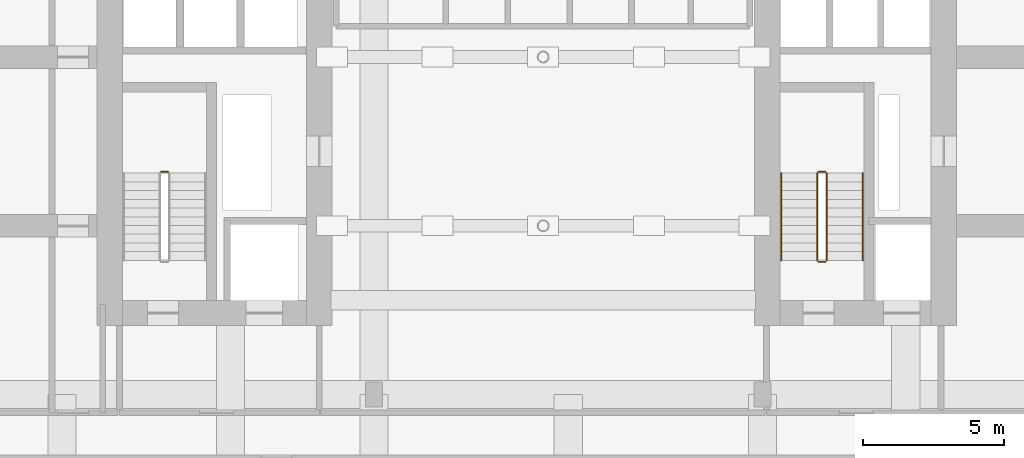
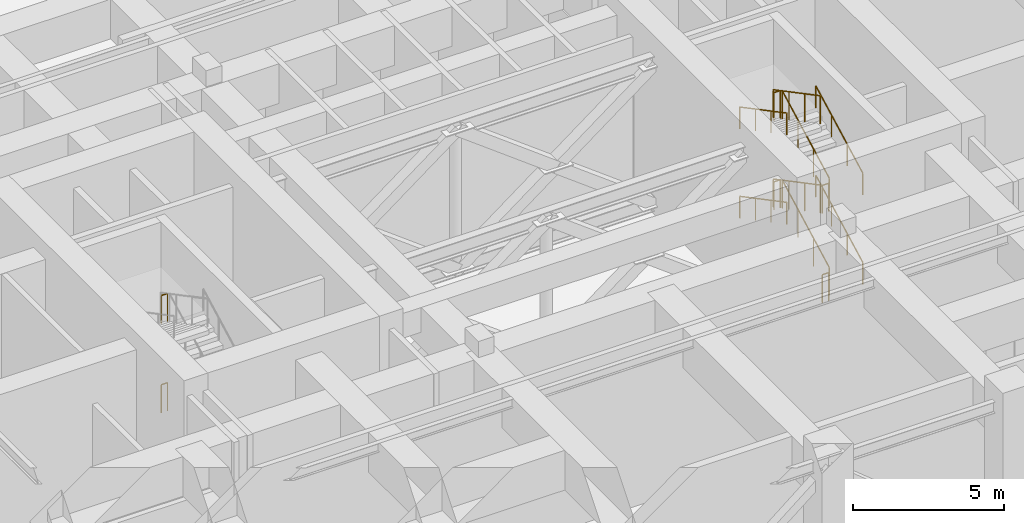
# One storey, part 9 of 10: 14 railings.
"""IFC4 building model written with IfcOpenShell, lengths in metres."""

from ifc_helpers import new_model, si_unit, direction, frame, origin, origin_2d, place, context, subcontext, project, spatial, circle, extrude, material, type_object, element, save


model = new_model("IFC4")

# Units and contexts
model_context = context("Model", 3, precision=1e-05, world=origin(), true_north=direction((0.0, 1.0)))
body_context = subcontext(model_context, "Body", "Model", "MODEL_VIEW")
ifc_project = project(units=[si_unit("LENGTHUNIT", "METRE"), si_unit("AREAUNIT", "SQUARE_METRE"), si_unit("VOLUMEUNIT", "CUBIC_METRE"), si_unit("PLANEANGLEUNIT", "RADIAN"), si_unit("MASSUNIT", "GRAM", prefix="KILO")], contexts=[model_context])

# Site, building, storey
site_placement = place(None, origin())
site = spatial("IfcSite", under=ifc_project, at=site_placement, CompositionType="ELEMENT")
building_placement = place(site_placement, origin())
building = spatial("IfcBuilding", under=site, at=building_placement, Name="Khoralis Quay Care Tower", CompositionType="ELEMENT")
storey_placement = place(building_placement, frame((0.0, 0.0, 76.5)))
storey = spatial("IfcBuildingStorey", under=building, at=storey_placement, Name="L20", CompositionType="ELEMENT", Elevation=76.5)

# Railings
ifc_material = material(Name="Brushed stainless steel", Category="steel")
railing_type_1 = type_object("IfcRailingType", Name="RL-GUARD-1150", PredefinedType="GUARDRAIL", material=ifc_material)
for number, where, name in (
    (1, (9.77001953125, 19.919921875, 1.800048828125), "L20 ST-T1 stair guard 2"),
    (2, (9.77001953125, 19.919921875, 5.39990234375), "L20 ST-T1 stair guard 6"),
):
    element("IfcRailing", number, at=place(storey_placement, frame(where)), inside=storey, type_object=railing_type_1, Name=name, PredefinedType="GUARDRAIL", context=body_context, shape_type="SweptSolid", body=[
        extrude(circle(Radius=0.02392578125, at=origin_2d()), frame((0.0, 0.0, 1.1259765625), z_axis=(-1.0, 0.0, 0.0), x_axis=(0.0, -1.0, 0.0)), (0.0, 0.0, 1.0), 0.239990234375),
        extrude(circle(Radius=0.02099609375, at=origin_2d()), origin(), (0.0, 0.0, 1.0), 1.101806640625),
        extrude(circle(Radius=0.02099609375, at=origin_2d()), frame((-0.239990234375, 0.0, 0.0)), (0.0, 0.0, 1.0), 1.101806640625),
    ])
railing_1_placement = place(storey_placement, frame((33.18994140625, 16.77001953125, 0.16357421875)))
element("IfcRailing", 3, at=railing_1_placement, inside=storey, type_object=railing_type_1, Name="L20 ST-T2 stair guard 1", PredefinedType="GUARDRAIL", context=body_context, shape_type="SweptSolid", body=[
    extrude(circle(Radius=0.02392578125, at=origin_2d()), frame((0.0, 0.0, 1.1259765625), z_axis=(0.0, 0.884348015382, 0.466828220752), x_axis=(-1.0, 0.0, 0.0)), (0.0, 0.0, 1.0), 3.505615234375),
    extrude(circle(Radius=0.02099609375, at=origin_2d()), origin(), (0.0, 0.0, 1.0), 1.101806640625),
    extrude(circle(Radius=0.02099609375, at=origin_2d()), frame((0.0, 1.033447265625, 0.54541015625)), (0.0, 0.0, 1.0), 1.101806640625),
    extrude(circle(Radius=0.02099609375, at=origin_2d()), frame((0.0, 2.066650390625, 1.091064453125)), (0.0, 0.0, 1.0), 1.101806640625),
    extrude(circle(Radius=0.02099609375, at=origin_2d()), frame((0.0, 3.10009765625, 1.636474609375)), (0.0, 0.0, 1.0), 1.101806640625),
])
railing_2_placement = place(storey_placement, frame((33.139892578125, 19.919921875, 1.800048828125)))
element("IfcRailing", 4, at=railing_2_placement, inside=storey, type_object=railing_type_1, Name="L20 ST-T2 stair guard 2", PredefinedType="GUARDRAIL", context=body_context, shape_type="SweptSolid", body=[
    extrude(circle(Radius=0.02392578125, at=origin_2d()), frame((0.0, 0.0, 1.1259765625), z_axis=(-1.0, 0.0, 0.0), x_axis=(0.0, -1.0, 0.0)), (0.0, 0.0, 1.0), 0.239990234375),
    extrude(circle(Radius=0.02099609375, at=origin_2d()), origin(), (0.0, 0.0, 1.0), 1.101806640625),
    extrude(circle(Radius=0.02099609375, at=origin_2d()), frame((-0.239990234375, 0.0, 0.0)), (0.0, 0.0, 1.0), 1.101806640625),
])
railing_3_placement = place(storey_placement, frame((32.85009765625, 19.8701171875, 1.963623046875)))
element("IfcRailing", 5, at=railing_3_placement, inside=storey, type_object=railing_type_1, Name="L20 ST-T2 stair guard 3", PredefinedType="GUARDRAIL", context=body_context, shape_type="SweptSolid", body=[
    extrude(circle(Radius=0.02392578125, at=origin_2d()), frame((0.0, 0.0, 1.1259765625), z_axis=(0.0, -0.884348015382, 0.466828220752), x_axis=(1.0, 0.0, 0.0)), (0.0, 0.0, 1.0), 3.505615234375),
    extrude(circle(Radius=0.02099609375, at=origin_2d()), origin(), (0.0, 0.0, 1.0), 1.101806640625),
    extrude(circle(Radius=0.02099609375, at=origin_2d()), frame((0.0, -1.033447265625, 0.54541015625)), (0.0, 0.0, 1.0), 1.101806640625),
    extrude(circle(Radius=0.02099609375, at=origin_2d()), frame((0.0, -2.066650390625, 1.091064453125)), (0.0, 0.0, 1.0), 1.101806640625),
    extrude(circle(Radius=0.02099609375, at=origin_2d()), frame((0.0, -3.10009765625, 1.636474609375)), (0.0, 0.0, 1.0), 1.101806640625),
])
railing_4_placement = place(storey_placement, frame((33.139892578125, 16.719970703125, 3.60009765625)))
element("IfcRailing", 6, at=railing_4_placement, inside=storey, type_object=railing_type_1, Name="L20 ST-T2 stair guard 4", PredefinedType="GUARDRAIL", context=body_context, shape_type="SweptSolid", body=[
    extrude(circle(Radius=0.02392578125, at=origin_2d()), frame((0.0, 0.0, 1.1259765625), z_axis=(-1.0, 0.0, 0.0), x_axis=(0.0, -1.0, 0.0)), (0.0, 0.0, 1.0), 0.239990234375),
    extrude(circle(Radius=0.02099609375, at=origin_2d()), origin(), (0.0, 0.0, 1.0), 1.101806640625),
    extrude(circle(Radius=0.02099609375, at=origin_2d()), frame((-0.239990234375, 0.0, 0.0)), (0.0, 0.0, 1.0), 1.101806640625),
])
railing_5_placement = place(storey_placement, frame((33.18994140625, 16.77001953125, 3.763671875)))
element("IfcRailing", 7, at=railing_5_placement, inside=storey, type_object=railing_type_1, Name="L20 ST-T2 stair guard 5", PredefinedType="GUARDRAIL", context=body_context, shape_type="SweptSolid", body=[
    extrude(circle(Radius=0.02392578125, at=origin_2d()), frame((0.0, 0.0, 1.1259765625), z_axis=(0.0, 0.884376766648, 0.46677375099), x_axis=(-1.0, 0.0, 0.0)), (0.0, 0.0, 1.0), 3.50537109375),
    extrude(circle(Radius=0.02099609375, at=origin_2d()), origin(), (0.0, 0.0, 1.0), 1.101806640625),
    extrude(circle(Radius=0.02099609375, at=origin_2d()), frame((0.0, 1.033447265625, 0.54541015625)), (0.0, 0.0, 1.0), 1.101806640625),
    extrude(circle(Radius=0.02099609375, at=origin_2d()), frame((0.0, 2.066650390625, 1.0908203125)), (0.0, 0.0, 1.0), 1.101806640625),
    extrude(circle(Radius=0.02099609375, at=origin_2d()), frame((0.0, 3.10009765625, 1.63623046875)), (0.0, 0.0, 1.0), 1.101806640625),
])
railing_6_placement = place(storey_placement, frame((33.139892578125, 19.919921875, 5.39990234375)))
element("IfcRailing", 8, at=railing_6_placement, inside=storey, type_object=railing_type_1, Name="L20 ST-T2 stair guard 6", PredefinedType="GUARDRAIL", context=body_context, shape_type="SweptSolid", body=[
    extrude(circle(Radius=0.02392578125, at=origin_2d()), frame((0.0, 0.0, 1.1259765625), z_axis=(-1.0, 0.0, 0.0), x_axis=(0.0, -1.0, 0.0)), (0.0, 0.0, 1.0), 0.239990234375),
    extrude(circle(Radius=0.02099609375, at=origin_2d()), origin(), (0.0, 0.0, 1.0), 1.101806640625),
    extrude(circle(Radius=0.02099609375, at=origin_2d()), frame((-0.239990234375, 0.0, 0.0)), (0.0, 0.0, 1.0), 1.101806640625),
])
railing_7_placement = place(storey_placement, frame((32.85009765625, 19.8701171875, 5.563720703125)))
element("IfcRailing", 9, at=railing_7_placement, inside=storey, type_object=railing_type_1, Name="L20 ST-T2 stair guard 7", PredefinedType="GUARDRAIL", context=body_context, shape_type="SweptSolid", body=[
    extrude(circle(Radius=0.02392578125, at=origin_2d()), frame((0.0, 0.0, 1.1259765625), z_axis=(0.0, -0.884376766648, 0.46677375099), x_axis=(1.0, 0.0, 0.0)), (0.0, 0.0, 1.0), 3.50537109375),
    extrude(circle(Radius=0.02099609375, at=origin_2d()), origin(), (0.0, 0.0, 1.0), 1.101806640625),
    extrude(circle(Radius=0.02099609375, at=origin_2d()), frame((0.0, -1.033447265625, 0.54541015625)), (0.0, 0.0, 1.0), 1.101806640625),
    extrude(circle(Radius=0.02099609375, at=origin_2d()), frame((0.0, -2.066650390625, 1.0908203125)), (0.0, 0.0, 1.0), 1.101806640625),
    extrude(circle(Radius=0.02099609375, at=origin_2d()), frame((0.0, -3.10009765625, 1.63623046875)), (0.0, 0.0, 1.0), 1.101806640625),
])
railing_8_placement = place(storey_placement, frame((33.139892578125, 16.719970703125, 0.0)))
element("IfcRailing", 10, at=railing_8_placement, inside=storey, type_object=railing_type_1, Name="L20 ST-T2 stair guard 8", PredefinedType="GUARDRAIL", context=body_context, shape_type="SweptSolid", body=[
    extrude(circle(Radius=0.02392578125, at=origin_2d()), frame((0.0, 0.0, 1.1259765625), z_axis=(-1.0, 0.0, 0.0), x_axis=(0.0, -1.0, 0.0)), (0.0, 0.0, 1.0), 0.239990234375),
    extrude(circle(Radius=0.02099609375, at=origin_2d()), origin(), (0.0, 0.0, 1.0), 1.101806640625),
    extrude(circle(Radius=0.02099609375, at=origin_2d()), frame((-0.239990234375, 0.0, 0.0)), (0.0, 0.0, 1.0), 1.101806640625),
])
railing_type_2 = type_object("IfcRailingType", Name="RL-HAND-900", PredefinedType="HANDRAIL", material=ifc_material)
railing_9_placement = place(storey_placement, frame((34.469970703125, 16.77001953125, 0.16357421875)))
element("IfcRailing", 11, at=railing_9_placement, inside=storey, type_object=railing_type_2, Name="L20 ST-T2 stair handrail 1", PredefinedType="HANDRAIL", context=body_context, shape_type="SweptSolid", body=[
    extrude(circle(Radius=0.02392578125, at=origin_2d()), frame((0.0, 0.0, 0.8759765625), z_axis=(0.0, 0.884348015382, 0.466828220752), x_axis=(-1.0, 0.0, 0.0)), (0.0, 0.0, 1.0), 3.505615234375),
    extrude(circle(Radius=0.02099609375, at=origin_2d()), origin(), (0.0, 0.0, 1.0), 0.851806640625),
    extrude(circle(Radius=0.02099609375, at=origin_2d()), frame((0.0, 1.033447265625, 0.54541015625)), (0.0, 0.0, 1.0), 0.851806640625),
    extrude(circle(Radius=0.02099609375, at=origin_2d()), frame((0.0, 2.066650390625, 1.091064453125)), (0.0, 0.0, 1.0), 0.851806640625),
    extrude(circle(Radius=0.02099609375, at=origin_2d()), frame((0.0, 3.10009765625, 1.636474609375)), (0.0, 0.0, 1.0), 0.851806640625),
])
railing_10_placement = place(storey_placement, frame((31.570068359375, 19.8701171875, 1.963623046875)))
element("IfcRailing", 12, at=railing_10_placement, inside=storey, type_object=railing_type_2, Name="L20 ST-T2 stair handrail 2", PredefinedType="HANDRAIL", context=body_context, shape_type="SweptSolid", body=[
    extrude(circle(Radius=0.02392578125, at=origin_2d()), frame((0.0, 0.0, 0.8759765625), z_axis=(0.0, -0.884348015382, 0.466828220752), x_axis=(1.0, 0.0, 0.0)), (0.0, 0.0, 1.0), 3.505615234375),
    extrude(circle(Radius=0.02099609375, at=origin_2d()), origin(), (0.0, 0.0, 1.0), 0.851806640625),
    extrude(circle(Radius=0.02099609375, at=origin_2d()), frame((0.0, -1.033447265625, 0.54541015625)), (0.0, 0.0, 1.0), 0.851806640625),
    extrude(circle(Radius=0.02099609375, at=origin_2d()), frame((0.0, -2.066650390625, 1.091064453125)), (0.0, 0.0, 1.0), 0.851806640625),
    extrude(circle(Radius=0.02099609375, at=origin_2d()), frame((0.0, -3.10009765625, 1.636474609375)), (0.0, 0.0, 1.0), 0.851806640625),
])
railing_11_placement = place(storey_placement, frame((34.469970703125, 16.77001953125, 3.763671875)))
element("IfcRailing", 13, at=railing_11_placement, inside=storey, type_object=railing_type_2, Name="L20 ST-T2 stair handrail 3", PredefinedType="HANDRAIL", context=body_context, shape_type="SweptSolid", body=[
    extrude(circle(Radius=0.02392578125, at=origin_2d()), frame((0.0, 0.0, 0.8759765625), z_axis=(0.0, 0.884376766648, 0.46677375099), x_axis=(-1.0, 0.0, 0.0)), (0.0, 0.0, 1.0), 3.50537109375),
    extrude(circle(Radius=0.02099609375, at=origin_2d()), origin(), (0.0, 0.0, 1.0), 0.851806640625),
    extrude(circle(Radius=0.02099609375, at=origin_2d()), frame((0.0, 1.033447265625, 0.54541015625)), (0.0, 0.0, 1.0), 0.851806640625),
    extrude(circle(Radius=0.02099609375, at=origin_2d()), frame((0.0, 2.066650390625, 1.0908203125)), (0.0, 0.0, 1.0), 0.851806640625),
    extrude(circle(Radius=0.02099609375, at=origin_2d()), frame((0.0, 3.10009765625, 1.63623046875)), (0.0, 0.0, 1.0), 0.851806640625),
])
railing_12_placement = place(storey_placement, frame((31.570068359375, 19.8701171875, 5.563720703125)))
element("IfcRailing", 14, at=railing_12_placement, inside=storey, type_object=railing_type_2, Name="L20 ST-T2 stair handrail 4", PredefinedType="HANDRAIL", context=body_context, shape_type="SweptSolid", body=[
    extrude(circle(Radius=0.02392578125, at=origin_2d()), frame((0.0, 0.0, 0.8759765625), z_axis=(0.0, -0.884376766648, 0.46677375099), x_axis=(1.0, 0.0, 0.0)), (0.0, 0.0, 1.0), 3.50537109375),
    extrude(circle(Radius=0.02099609375, at=origin_2d()), origin(), (0.0, 0.0, 1.0), 0.851806640625),
    extrude(circle(Radius=0.02099609375, at=origin_2d()), frame((0.0, -1.033447265625, 0.54541015625)), (0.0, 0.0, 1.0), 0.851806640625),
    extrude(circle(Radius=0.02099609375, at=origin_2d()), frame((0.0, -2.066650390625, 1.0908203125)), (0.0, 0.0, 1.0), 0.851806640625),
    extrude(circle(Radius=0.02099609375, at=origin_2d()), frame((0.0, -3.10009765625, 1.63623046875)), (0.0, 0.0, 1.0), 0.851806640625),
])

save(model, "model.ifc")
